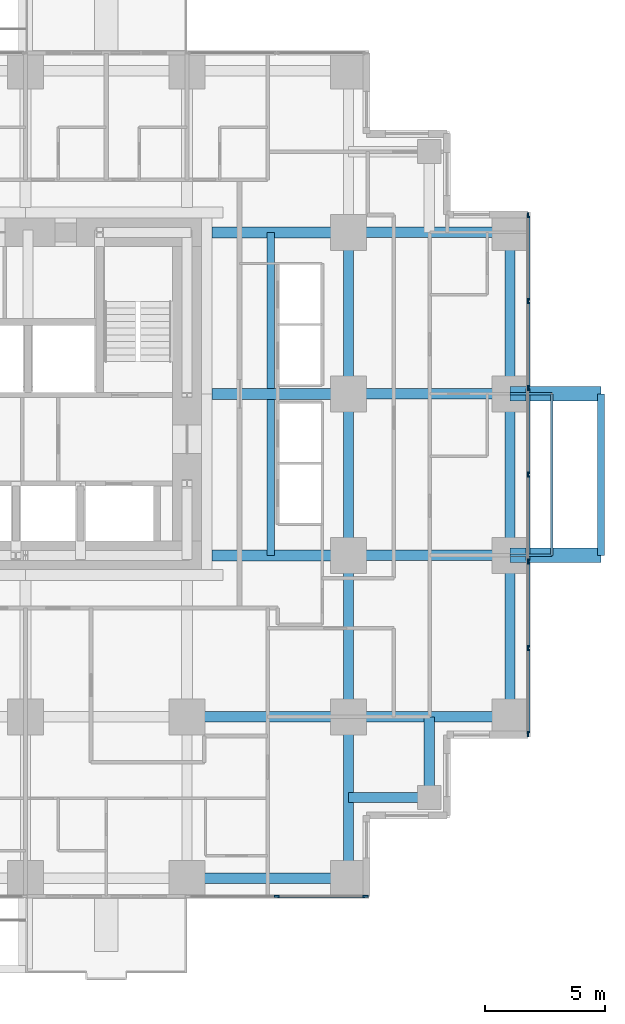
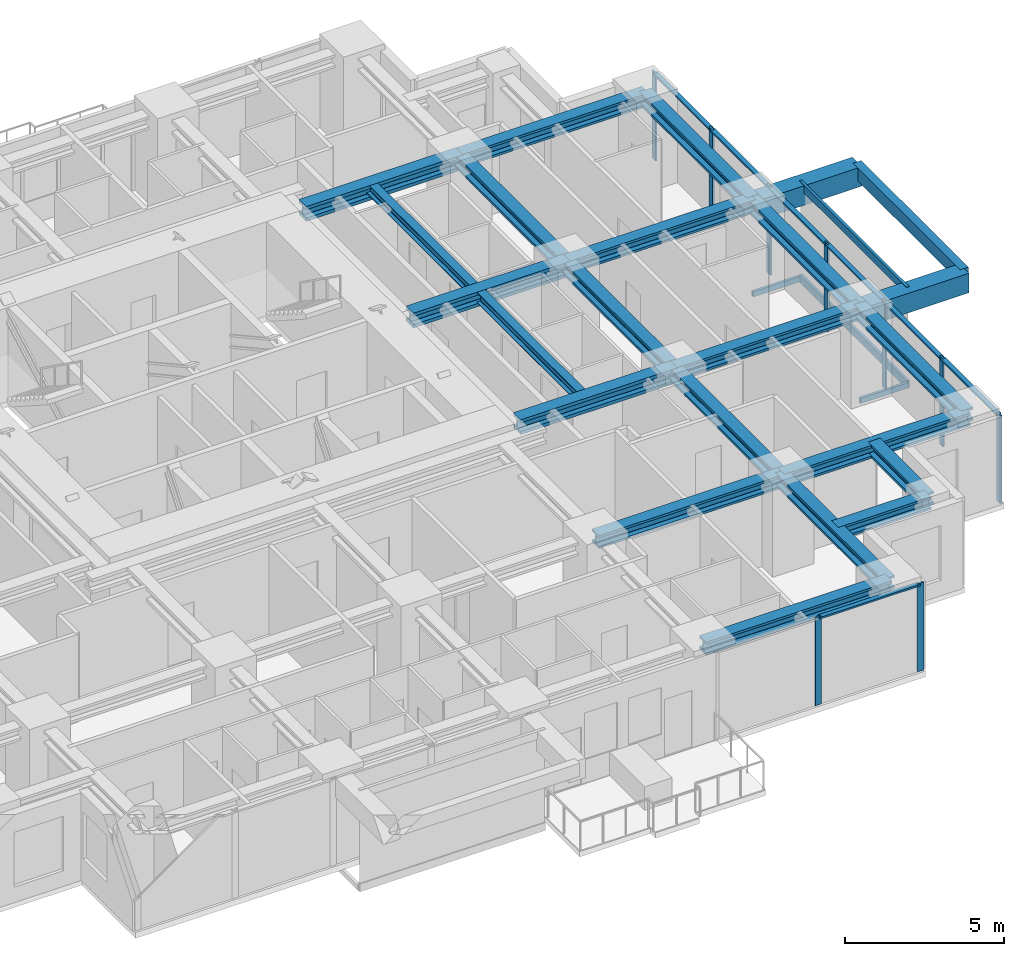
# One storey, part 4 of 12: 23 beams, 20 members, 2 elements without a shape of their own.
"""IFC4 building model written with IfcOpenShell, lengths in metres."""

from ifc_helpers import new_model, si_unit, direction, frame, origin, origin_2d, place, context, subcontext, project, spatial, rectangle, hollow_rectangle, i_section, extrude, material, material_profile, profile_set, type_object, element, aggregate, save


model = new_model("IFC4")

# Units and contexts
model_context = context("Model", 3, precision=1e-05, world=origin(), true_north=direction((0.0, 1.0)))
body_context = subcontext(model_context, "Body", "Model", "MODEL_VIEW")
ifc_project = project(units=[si_unit("LENGTHUNIT", "METRE"), si_unit("AREAUNIT", "SQUARE_METRE"), si_unit("VOLUMEUNIT", "CUBIC_METRE"), si_unit("PLANEANGLEUNIT", "RADIAN"), si_unit("MASSUNIT", "GRAM", prefix="KILO")], contexts=[model_context])

# Site, building, storey
site_placement = place(None, origin())
site = spatial("IfcSite", under=ifc_project, at=site_placement, CompositionType="ELEMENT")
building_placement = place(site_placement, origin())
building = spatial("IfcBuilding", under=site, at=building_placement, Name="Nyansa Garden Tower", CompositionType="ELEMENT")
storey_placement = place(building_placement, frame((0.0, 0.0, 119.699951171875)))
storey = spatial("IfcBuildingStorey", under=building, at=storey_placement, Name="L32", CompositionType="ELEMENT", Elevation=119.699951171875)

# Beams
ifc_material_1 = material(Name="Concrete C70/85", Category="concrete")
ifc_material_profile_1 = material_profile(ifc_material_1, rectangle(XDim=0.60009765625, YDim=0.75, at=origin_2d()), Name="RC 600x750")
ifc_profile_set_1 = profile_set([ifc_material_profile_1], Name="Concrete C70/85")
beam_type_1 = type_object("IfcBeamType", Name="Balcony cantilever beam CB1 RC 600x750", PredefinedType="BEAM", material=ifc_profile_set_1)
for number, where, z_axis, x_axis, name in (
    (1, (40.5, 13.5, 2.985107421875), (1.0, 0.0, 0.0), (0.0, 1.0, 0.0), "Balcony cantilever beam L33"),
    (2, (40.5, 20.25, 2.985107421875), (1.0, 0.0, 0.0), (0.0, 1.0, 0.0), "Balcony cantilever beam L33"),
):
    element("IfcBeam", number, at=place(storey_placement, frame(where, z_axis=z_axis, x_axis=x_axis)), inside=storey, type_object=beam_type_1, Name=name, PredefinedType="BEAM", context=body_context, shape_type="SweptSolid", body=[
        extrude(rectangle(XDim=0.60009765625, YDim=0.75, at=origin_2d()), origin(), (0.0, 0.0, 1.0), 3.800048828125),
    ])
ifc_material_2 = material(Name="Concrete C70/85", Category="concrete")
ifc_material_profile_2 = material_profile(ifc_material_2, rectangle(XDim=0.300048828125, YDim=0.5, at=origin_2d()), Name="RC 300x500")
ifc_profile_set_2 = profile_set([ifc_material_profile_2], Name="Concrete C70/85")
beam_type_2 = type_object("IfcBeamType", Name="Balcony edge beam BE1 RC 300x500", PredefinedType="BEAM", material=ifc_profile_set_2)
beam_placement = place(storey_placement, frame((44.300048828125, 13.5, 3.110107421875), z_axis=(0.0, 1.0, 0.0), x_axis=(-1.0, 0.0, 0.0)))
element("IfcBeam", 3, at=beam_placement, inside=storey, type_object=beam_type_2, Name="Balcony edge beam L33", PredefinedType="BEAM", context=body_context, shape_type="SweptSolid", body=[
    extrude(rectangle(XDim=0.300048828125, YDim=0.5, at=origin_2d()), origin(), (0.0, 0.0, 1.0), 6.75),
])

# Curtain wall, members
ifc_material_3 = material(Name="Black anodised aluminium, dark tinted double glazing", Category="aluminium")
curtain_wall_type = type_object("IfcCurtainWallType", Name="Inner skin curtain wall ISW-B", PredefinedType="USERDEFINED", material=ifc_material_3)
curtain_wall_1_placement = place(storey_placement, origin())
curtain_wall_1 = element("IfcCurtainWall", 4, at=curtain_wall_1_placement, inside=storey, type_object=curtain_wall_type, Name="Inner skin curtain wall L32 E", ObjectType="UNITISED CURTAIN WALL", PredefinedType="USERDEFINED")
ifc_material_4 = material(Name="Black anodised aluminium", Category="aluminium")
ifc_material_profile_3 = material_profile(ifc_material_4, rectangle(XDim=0.06494140625, YDim=0.22509765625, at=origin_2d()), Name="Mullion 225x65")
ifc_profile_set_3 = profile_set([ifc_material_profile_3], Name="Black anodised aluminium")
member_type_1 = type_object("IfcMemberType", Name="Mullion ISW-B 225x65", PredefinedType="MULLION", material=ifc_profile_set_3)
member_1_placement = place(storey_placement, frame((41.25, 6.032470703125, 0.0), z_axis=(0.0, 0.0, 1.0), x_axis=(-1.0, 0.0, 0.0)))
member_1 = element("IfcMember", 5, at=member_1_placement, type_object=member_type_1, Name="ISW-B mullion 1", PredefinedType="MULLION", context=body_context, shape_type="SweptSolid", body=[
    extrude(rectangle(XDim=0.06494140625, YDim=0.22509765625, at=origin_2d()), origin(), (0.0, 0.0, 1.0), 3.375),
])
member_2_placement = place(storey_placement, frame((41.25, 9.625, 0.0), z_axis=(0.0, 0.0, 1.0), x_axis=(-1.0, 0.0, 0.0)))
member_2 = element("IfcMember", 6, at=member_2_placement, type_object=member_type_1, Name="ISW-B mullion 2", PredefinedType="MULLION", context=body_context, shape_type="SweptSolid", body=[
    extrude(rectangle(XDim=0.06494140625, YDim=0.22509765625, at=origin_2d()), origin(), (0.0, 0.0, 1.0), 3.375),
])
member_3_placement = place(storey_placement, frame((41.25, 13.25, 0.0), z_axis=(0.0, 0.0, 1.0), x_axis=(-1.0, 0.0, 0.0)))
member_3 = element("IfcMember", 7, at=member_3_placement, type_object=member_type_1, Name="ISW-B mullion 3", PredefinedType="MULLION", context=body_context, shape_type="SweptSolid", body=[
    extrude(rectangle(XDim=0.06494140625, YDim=0.22509765625, at=origin_2d()), origin(), (0.0, 0.0, 1.0), 3.375),
])
member_4_placement = place(storey_placement, frame((41.25, 16.875, 0.0), z_axis=(0.0, 0.0, 1.0), x_axis=(-1.0, 0.0, 0.0)))
member_4 = element("IfcMember", 8, at=member_4_placement, type_object=member_type_1, Name="ISW-B mullion 4", PredefinedType="MULLION", context=body_context, shape_type="SweptSolid", body=[
    extrude(rectangle(XDim=0.06494140625, YDim=0.22509765625, at=origin_2d()), origin(), (0.0, 0.0, 1.0), 3.375),
])
member_5_placement = place(storey_placement, frame((41.25, 20.5, 0.0), z_axis=(0.0, 0.0, 1.0), x_axis=(-1.0, 0.0, 0.0)))
member_5 = element("IfcMember", 9, at=member_5_placement, type_object=member_type_1, Name="ISW-B mullion 5", PredefinedType="MULLION", context=body_context, shape_type="SweptSolid", body=[
    extrude(rectangle(XDim=0.06494140625, YDim=0.22509765625, at=origin_2d()), origin(), (0.0, 0.0, 1.0), 3.375),
])
member_6_placement = place(storey_placement, frame((41.25, 24.125, 0.0), z_axis=(0.0, 0.0, 1.0), x_axis=(-1.0, 0.0, 0.0)))
member_6 = element("IfcMember", 10, at=member_6_placement, type_object=member_type_1, Name="ISW-B mullion 6", PredefinedType="MULLION", context=body_context, shape_type="SweptSolid", body=[
    extrude(rectangle(XDim=0.06494140625, YDim=0.22509765625, at=origin_2d()), origin(), (0.0, 0.0, 1.0), 3.375),
])
member_7_placement = place(storey_placement, frame((41.25, 27.717529296875, 0.0), z_axis=(0.0, 0.0, 1.0), x_axis=(-1.0, 0.0, 0.0)))
member_7 = element("IfcMember", 11, at=member_7_placement, type_object=member_type_1, Name="ISW-B mullion 7", PredefinedType="MULLION", context=body_context, shape_type="SweptSolid", body=[
    extrude(rectangle(XDim=0.06494140625, YDim=0.22509765625, at=origin_2d()), origin(), (0.0, 0.0, 1.0), 3.375),
])

curtain_wall_2_placement = place(storey_placement, origin())
curtain_wall_2 = element("IfcCurtainWall", 12, at=curtain_wall_2_placement, inside=storey, type_object=curtain_wall_type, Name="Inner skin curtain wall L32 S", ObjectType="UNITISED CURTAIN WALL", PredefinedType="USERDEFINED")
member_8_placement = place(storey_placement, frame((30.75, -0.75, 0.0), z_axis=(0.0, 0.0, 1.0), x_axis=(0.0, 1.0, 0.0)))
member_8 = element("IfcMember", 13, at=member_8_placement, type_object=member_type_1, Name="ISW-B mullion 2", PredefinedType="MULLION", context=body_context, shape_type="SweptSolid", body=[
    extrude(rectangle(XDim=0.06494140625, YDim=0.22509765625, at=origin_2d()), origin(), (0.0, 0.0, 1.0), 3.375),
])
member_9_placement = place(storey_placement, frame((34.467529296875, -0.75, 0.0), z_axis=(0.0, 0.0, 1.0), x_axis=(0.0, 1.0, 0.0)))
member_9 = element("IfcMember", 14, at=member_9_placement, type_object=member_type_1, Name="ISW-B mullion 3", PredefinedType="MULLION", context=body_context, shape_type="SweptSolid", body=[
    extrude(rectangle(XDim=0.06494140625, YDim=0.22509765625, at=origin_2d()), origin(), (0.0, 0.0, 1.0), 3.375),
])

# Members
ifc_material_5 = material(Name="Steel S355, black powder coated", Category="steel")
ifc_material_profile_4 = material_profile(ifc_material_5, hollow_rectangle(XDim=0.10009765625, YDim=0.199951171875, WallThickness=0.008056640625, at=origin_2d()), Name="RHS 200x100x8")
ifc_profile_set_4 = profile_set([ifc_material_profile_4], Name="Steel S355, black powder coated")
member_type_2 = type_object("IfcMemberType", Name="Outer skin bracket arm RHS 200x100x8", PredefinedType="USERDEFINED", material=ifc_profile_set_4)
for number, where, z_axis, x_axis, name in (
    (15, (40.5, 13.5, -0.375), (1.0, 0.0, 0.0), (0.0, 1.0, 0.0), "Outer skin bracket arm"),
    (16, (40.5, 20.25, -0.375), (1.0, 0.0, 0.0), (0.0, 1.0, 0.0), "Outer skin bracket arm"),
):
    element("IfcMember", number, at=place(storey_placement, frame(where, z_axis=z_axis, x_axis=x_axis)), inside=storey, type_object=member_type_2, Name=name, ObjectType="OUTER SKIN BRACKET", PredefinedType="USERDEFINED", context=body_context, shape_type="SweptSolid", body=[
        extrude(hollow_rectangle(XDim=0.10009765625, YDim=0.199951171875, WallThickness=0.008056640625, at=origin_2d()), origin(), (0.0, 0.0, 1.0), 1.75),
    ])
ifc_material_6 = material(Name="Steel S355, black powder coated", Category="steel")
ifc_material_profile_5 = material_profile(ifc_material_6, hollow_rectangle(XDim=0.10009765625, YDim=0.300048828125, WallThickness=0.010009765625, at=origin_2d()), Name="RHS 300x100x10")
ifc_profile_set_5 = profile_set([ifc_material_profile_5], Name="Steel S355, black powder coated")
member_type_3 = type_object("IfcMemberType", Name="Outer skin rail RHS 300x100x10", PredefinedType="USERDEFINED", material=ifc_profile_set_5)
for number, where, z_axis, x_axis, name in (
    (17, (42.25, 13.5, -0.375), (0.0, 1.0, 0.0), (-1.0, 0.0, 0.0), "Outer skin rail L32"),
    (18, (42.25, 13.5, 3.22509765625), (0.0, 1.0, 0.0), (-1.0, 0.0, 0.0), "Outer skin rail L32 head"),
):
    element("IfcMember", number, at=place(storey_placement, frame(where, z_axis=z_axis, x_axis=x_axis)), inside=storey, type_object=member_type_3, Name=name, ObjectType="OUTER SKIN RAIL", PredefinedType="USERDEFINED", context=body_context, shape_type="SweptSolid", body=[
        extrude(hollow_rectangle(XDim=0.10009765625, YDim=0.300048828125, WallThickness=0.010009765625, at=origin_2d()), origin(), (0.0, 0.0, 1.0), 6.75),
    ])

# Beams
ifc_material_7 = material(Name="Steel S355", Category="steel")
ifc_material_profile_6 = material_profile(ifc_material_7, i_section(OverallWidth=0.431884765625, OverallDepth=0.498046875, WebThickness=0.0556640625, FlangeThickness=0.0888671875, FilletRadius=0.014892578125, at=origin_2d()), Name="HD 400x744")
ifc_profile_set_6 = profile_set([ifc_material_profile_6], Name="Steel S355")
beam_type_3 = type_object("IfcBeamType", Name="Steel beam SBB1-744 HD 400x744", PredefinedType="BEAM", material=ifc_profile_set_6)
for number, where, z_axis, x_axis, name in (
    (19, (27.0, 6.75, 3.1259765625), (1.0, 0.0, 0.0), (0.0, 1.0, 0.0), "Steel beam 6/E-7/E L33"),
    (20, (33.75, 0.0, 3.1259765625), (0.0, 1.0, 0.0), (-1.0, 0.0, 0.0), "Steel beam 7/D-7/E L33"),
    (21, (33.75, 6.75, 3.1259765625), (0.0, 1.0, 0.0), (-1.0, 0.0, 0.0), "Steel beam 7/E-7/F L33"),
    (22, (33.75, 6.75, 3.1259765625), (1.0, 0.0, 0.0), (0.0, 1.0, 0.0), "Steel beam 7/E-8/E L33"),
    (23, (33.75, 13.5, 3.1259765625), (0.0, 1.0, 0.0), (-1.0, 0.0, 0.0), "Steel beam 7/F-7/G L33"),
    (24, (33.75, 13.5, 3.1259765625), (1.0, 0.0, 0.0), (0.0, 1.0, 0.0), "Steel beam 7/F-8/F L33"),
    (25, (33.75, 20.25, 3.1259765625), (0.0, 1.0, 0.0), (-1.0, 0.0, 0.0), "Steel beam 7/G-7/H L33"),
    (26, (33.75, 20.25, 3.1259765625), (1.0, 0.0, 0.0), (0.0, 1.0, 0.0), "Steel beam 7/G-8/G L33"),
    (27, (33.75, 27.0, 3.1259765625), (1.0, 0.0, 0.0), (0.0, 1.0, 0.0), "Steel beam 7/H-8/H L33"),
):
    element("IfcBeam", number, at=place(storey_placement, frame(where, z_axis=z_axis, x_axis=x_axis)), inside=storey, type_object=beam_type_3, Name=name, PredefinedType="BEAM", context=body_context, shape_type="SweptSolid", body=[
        extrude(i_section(OverallWidth=0.431884765625, OverallDepth=0.498046875, WebThickness=0.0556640625, FlangeThickness=0.0888671875, FilletRadius=0.014892578125, at=origin_2d()), origin(), (0.0, 0.0, 1.0), 6.75),
    ])
ifc_material_8 = material(Name="Steel S355", Category="steel")
ifc_material_profile_7 = material_profile(ifc_material_8, i_section(OverallWidth=0.4541015625, OverallDepth=0.569091796875, WebThickness=0.077880859375, FlangeThickness=0.125, FilletRadius=0.014892578125, at=origin_2d()), Name="HD 400x1086")
ifc_profile_set_7 = profile_set([ifc_material_profile_7], Name="Steel S355")
beam_type_4 = type_object("IfcBeamType", Name="Steel beam SCL-1086 HD 400x1086", PredefinedType="BEAM", material=ifc_profile_set_7)
for number, where, z_axis, x_axis, name in (
    (28, (28.050048828125, 13.5, 3.090576171875), (1.0, 0.0, 0.0), (0.0, 1.0, 0.0), "Steel beam 28.050/F-7/F L33"),
    (29, (28.050048828125, 20.25, 3.090576171875), (1.0, 0.0, 0.0), (0.0, 1.0, 0.0), "Steel beam 28.050/G-7/G L33"),
    (30, (28.050048828125, 27.0, 3.090576171875), (1.0, 0.0, 0.0), (0.0, 1.0, 0.0), "Steel beam 28.050/H-7/H L33"),
):
    element("IfcBeam", number, at=place(storey_placement, frame(where, z_axis=z_axis, x_axis=x_axis)), inside=storey, type_object=beam_type_4, Name=name, PredefinedType="BEAM", context=body_context, shape_type="SweptSolid", body=[
        extrude(i_section(OverallWidth=0.4541015625, OverallDepth=0.569091796875, WebThickness=0.077880859375, FlangeThickness=0.125, FilletRadius=0.014892578125, at=origin_2d()), origin(), (0.0, 0.0, 1.0), 5.699951171875),
    ])
ifc_material_9 = material(Name="Steel S355", Category="steel")
ifc_material_profile_8 = material_profile(ifc_material_9, i_section(OverallWidth=0.431884765625, OverallDepth=0.498046875, WebThickness=0.0556640625, FlangeThickness=0.0888671875, FilletRadius=0.014892578125, at=origin_2d()), Name="HD 400x744")
ifc_profile_set_8 = profile_set([ifc_material_profile_8], Name="Steel S355")
beam_type_5 = type_object("IfcBeamType", Name="Steel beam SEBB-744 HD 400x744", PredefinedType="BEAM", material=ifc_profile_set_8)
for number, where, z_axis, x_axis, name in (
    (31, (27.0, 0.0, 3.1259765625), (1.0, 0.0, 0.0), (0.0, 1.0, 0.0), "Steel edge beam 6/D-7/D L33"),
    (32, (40.5, 6.75, 3.1259765625), (0.0, 1.0, 0.0), (-1.0, 0.0, 0.0), "Steel edge beam 8/E-8/F L33"),
    (33, (40.5, 13.5, 3.1259765625), (0.0, 1.0, 0.0), (-1.0, 0.0, 0.0), "Steel edge beam 8/F-8/G L33"),
    (34, (40.5, 20.25, 3.1259765625), (0.0, 1.0, 0.0), (-1.0, 0.0, 0.0), "Steel edge beam 8/G-8/H L33"),
):
    element("IfcBeam", number, at=place(storey_placement, frame(where, z_axis=z_axis, x_axis=x_axis)), inside=storey, type_object=beam_type_5, Name=name, PredefinedType="BEAM", context=body_context, shape_type="SweptSolid", body=[
        extrude(i_section(OverallWidth=0.431884765625, OverallDepth=0.498046875, WebThickness=0.0556640625, FlangeThickness=0.0888671875, FilletRadius=0.014892578125, at=origin_2d()), origin(), (0.0, 0.0, 1.0), 6.75),
    ])
ifc_material_10 = material(Name="Steel S355", Category="steel")
ifc_material_profile_9 = material_profile(ifc_material_10, i_section(OverallWidth=0.431884765625, OverallDepth=0.498046875, WebThickness=0.0556640625, FlangeThickness=0.0888671875, FilletRadius=0.014892578125, at=origin_2d()), Name="HD 400x744")
ifc_profile_set_9 = profile_set([ifc_material_profile_9], Name="Steel S355")
beam_type_6 = type_object("IfcBeamType", Name="Steel beam SSB1-744 HD 400x744", PredefinedType="BEAM", material=ifc_profile_set_9)
for number, where, z_axis, x_axis, name in (
    (35, (37.125, 3.375, 3.1259765625), (0.0, 1.0, 0.0), (-1.0, 0.0, 0.0), "Steel step beam 37.125/3.375 L33"),
    (36, (37.125, 3.375, 3.1259765625), (-1.0, 0.0, 0.0), (0.0, -1.0, 0.0), "Steel step beam 37.125/3.375 L33"),
):
    element("IfcBeam", number, at=place(storey_placement, frame(where, z_axis=z_axis, x_axis=x_axis)), inside=storey, type_object=beam_type_6, Name=name, PredefinedType="BEAM", context=body_context, shape_type="SweptSolid", body=[
        extrude(i_section(OverallWidth=0.431884765625, OverallDepth=0.498046875, WebThickness=0.0556640625, FlangeThickness=0.0888671875, FilletRadius=0.014892578125, at=origin_2d()), origin(), (0.0, 0.0, 1.0), 3.375),
    ])

# Member
ifc_material_11 = material(Name="Black anodised aluminium", Category="aluminium")
ifc_material_profile_10 = material_profile(ifc_material_11, rectangle(XDim=0.1650390625, YDim=0.06494140625, at=origin_2d()), Name="Transom 165x65")
ifc_profile_set_10 = profile_set([ifc_material_profile_10], Name="Black anodised aluminium")
member_type_4 = type_object("IfcMemberType", Name="Transom ISW-B 165x65", PredefinedType="USERDEFINED", material=ifc_profile_set_10)
member_10_placement = place(storey_placement, frame((41.25, 6.06494140625, 3.342529296875), z_axis=(0.0, 1.0, 0.0), x_axis=(-1.0, 0.0, 0.0)))
member_10 = element("IfcMember", 37, at=member_10_placement, type_object=member_type_4, Name="ISW-B transom 1", ObjectType="TRANSOM", PredefinedType="USERDEFINED", context=body_context, shape_type="SweptSolid", body=[
    extrude(rectangle(XDim=0.1650390625, YDim=0.06494140625, at=origin_2d()), origin(), (0.0, 0.0, 1.0), 3.527587890625),
])

member_11_placement = place(storey_placement, frame((41.25, 9.657470703125, 3.342529296875), z_axis=(0.0, 1.0, 0.0), x_axis=(-1.0, 0.0, 0.0)))
member_11 = element("IfcMember", 38, at=member_11_placement, type_object=member_type_4, Name="ISW-B transom 2", ObjectType="TRANSOM", PredefinedType="USERDEFINED", context=body_context, shape_type="SweptSolid", body=[
    extrude(rectangle(XDim=0.1650390625, YDim=0.06494140625, at=origin_2d()), origin(), (0.0, 0.0, 1.0), 3.56005859375),
])

member_12_placement = place(storey_placement, frame((41.25, 13.282470703125, 3.342529296875), z_axis=(0.0, 1.0, 0.0), x_axis=(-1.0, 0.0, 0.0)))
member_12 = element("IfcMember", 39, at=member_12_placement, type_object=member_type_4, Name="ISW-B transom 3", ObjectType="TRANSOM", PredefinedType="USERDEFINED", context=body_context, shape_type="SweptSolid", body=[
    extrude(rectangle(XDim=0.1650390625, YDim=0.06494140625, at=origin_2d()), origin(), (0.0, 0.0, 1.0), 3.56005859375),
])

member_13_placement = place(storey_placement, frame((41.25, 16.907470703125, 3.342529296875), z_axis=(0.0, 1.0, 0.0), x_axis=(-1.0, 0.0, 0.0)))
member_13 = element("IfcMember", 40, at=member_13_placement, type_object=member_type_4, Name="ISW-B transom 4", ObjectType="TRANSOM", PredefinedType="USERDEFINED", context=body_context, shape_type="SweptSolid", body=[
    extrude(rectangle(XDim=0.1650390625, YDim=0.06494140625, at=origin_2d()), origin(), (0.0, 0.0, 1.0), 3.56005859375),
])

member_14_placement = place(storey_placement, frame((41.25, 20.532470703125, 3.342529296875), z_axis=(0.0, 1.0, 0.0), x_axis=(-1.0, 0.0, 0.0)))
member_14 = element("IfcMember", 41, at=member_14_placement, type_object=member_type_4, Name="ISW-B transom 5", ObjectType="TRANSOM", PredefinedType="USERDEFINED", context=body_context, shape_type="SweptSolid", body=[
    extrude(rectangle(XDim=0.1650390625, YDim=0.06494140625, at=origin_2d()), origin(), (0.0, 0.0, 1.0), 3.56005859375),
])

member_15_placement = place(storey_placement, frame((41.25, 24.157470703125, 3.342529296875), z_axis=(0.0, 1.0, 0.0), x_axis=(-1.0, 0.0, 0.0)))
member_15 = element("IfcMember", 42, at=member_15_placement, type_object=member_type_4, Name="ISW-B transom 6", ObjectType="TRANSOM", PredefinedType="USERDEFINED", context=body_context, shape_type="SweptSolid", body=[
    extrude(rectangle(XDim=0.1650390625, YDim=0.06494140625, at=origin_2d()), origin(), (0.0, 0.0, 1.0), 3.527587890625),
])

aggregate(curtain_wall_1, [member_1, member_2, member_3, member_4, member_5, member_6, member_7, member_10, member_11, member_12, member_13, member_14, member_15])

member_16_placement = place(storey_placement, frame((30.782470703125, -0.75, 3.342529296875), z_axis=(1.0, 0.0, 0.0), x_axis=(0.0, 1.0, 0.0)))
member_16 = element("IfcMember", 43, at=member_16_placement, type_object=member_type_4, Name="ISW-B transom 2", ObjectType="TRANSOM", PredefinedType="USERDEFINED", context=body_context, shape_type="SweptSolid", body=[
    extrude(rectangle(XDim=0.1650390625, YDim=0.06494140625, at=origin_2d()), origin(), (0.0, 0.0, 1.0), 3.652587890625),
])

aggregate(curtain_wall_2, [member_8, member_9, member_16])

# Beams
ifc_material_12 = material(Name="Steel S355", Category="steel")
ifc_material_profile_11 = material_profile(ifc_material_12, i_section(OverallWidth=0.300048828125, OverallDepth=0.39990234375, WebThickness=0.013427734375, FlangeThickness=0.02392578125, FilletRadius=0.027099609375, at=origin_2d()), Name="HE 400 B")
ifc_profile_set_11 = profile_set([ifc_material_profile_11], Name="Steel S355")
beam_type_7 = type_object("IfcBeamType", Name="Trimmer beam TR1 HE 400 B", PredefinedType="BEAM", material=ifc_profile_set_11)
for number, where, z_axis, x_axis, name in (
    (44, (30.5, 13.5, 3.175048828125), (0.0, 1.0, 0.0), (-1.0, 0.0, 0.0), "Trimmer beam 1 L33"),
    (45, (30.5, 20.47705078125, 3.175048828125), (0.0, 1.0, 0.0), (-1.0, 0.0, 0.0), "Trimmer beam 2 L33"),
):
    element("IfcBeam", number, at=place(storey_placement, frame(where, z_axis=z_axis, x_axis=x_axis)), inside=storey, type_object=beam_type_7, Name=name, PredefinedType="BEAM", context=body_context, shape_type="SweptSolid", body=[
        extrude(i_section(OverallWidth=0.300048828125, OverallDepth=0.39990234375, WebThickness=0.013427734375, FlangeThickness=0.02392578125, FilletRadius=0.027099609375, at=origin_2d()), origin(), (0.0, 0.0, 1.0), 6.52294921875),
    ])

save(model, "model.ifc")
